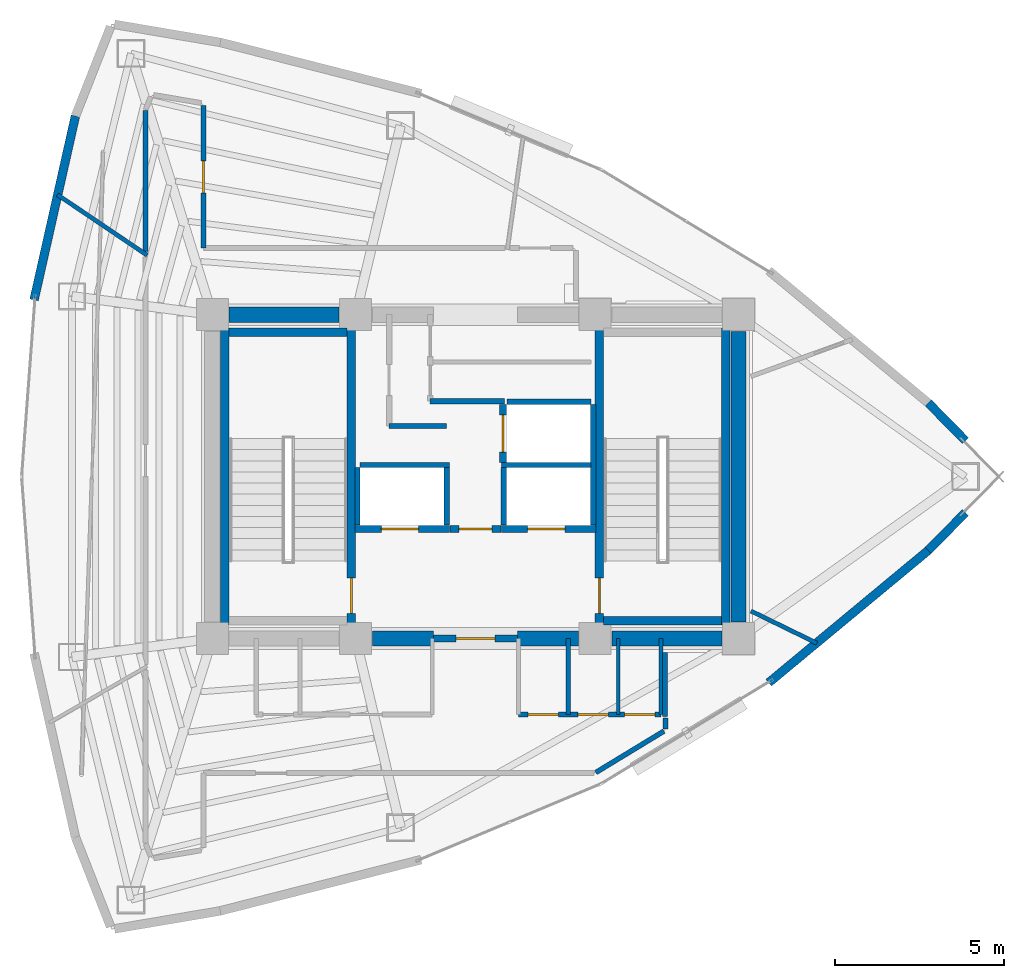
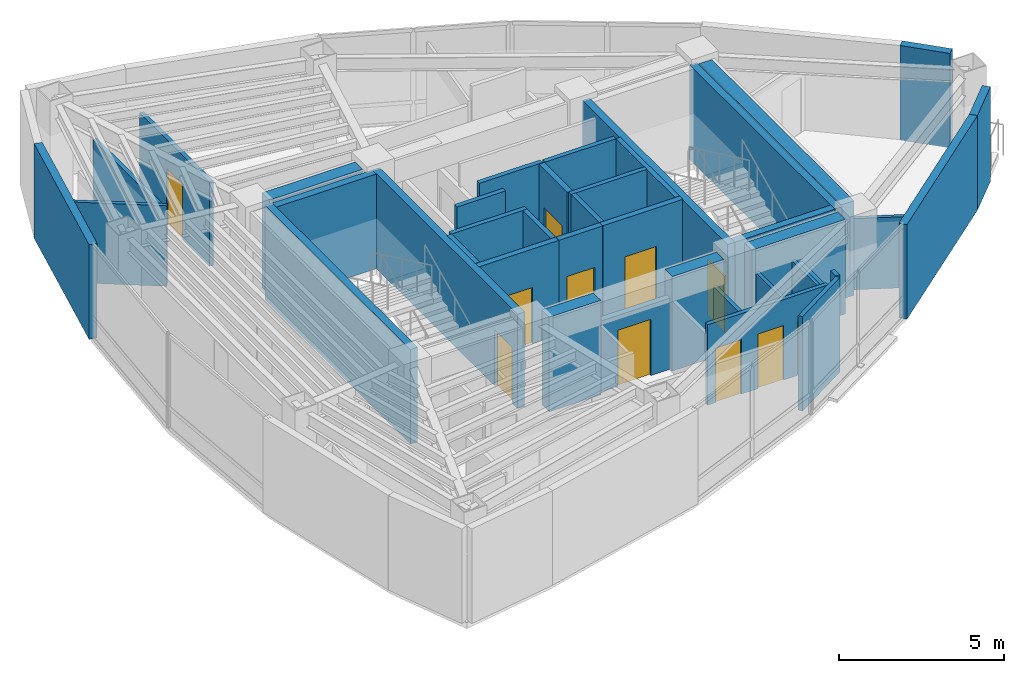
# One storey, part 12 of 16: 40 walls, 11 doors, 11 openings.
"""IFC4 building model written with IfcOpenShell, lengths in metres."""

from ifc_helpers import new_model, si_unit, direction, frame, frame_2d, origin, place, context, subcontext, project, spatial, rectangle, extrude, material, layer, layer_set, type_object, element, fill, save


model = new_model("IFC4")

# Units and contexts
model_context = context("Model", 3, precision=1e-05, world=origin(), true_north=direction((0.0, 1.0)))
body_context = subcontext(model_context, "Body", "Model", "MODEL_VIEW")
ifc_project = project(units=[si_unit("LENGTHUNIT", "METRE"), si_unit("AREAUNIT", "SQUARE_METRE"), si_unit("VOLUMEUNIT", "CUBIC_METRE"), si_unit("PLANEANGLEUNIT", "RADIAN"), si_unit("MASSUNIT", "GRAM", prefix="KILO")], contexts=[model_context])

# Site, building, storey
site_placement = place(None, origin())
site = spatial("IfcSite", under=ifc_project, at=site_placement, CompositionType="ELEMENT")
building_placement = place(site_placement, origin())
building = spatial("IfcBuilding", under=site, at=building_placement, Name="Menara Vayukalpa", CompositionType="ELEMENT")
storey_placement = place(building_placement, frame((0.0, 0.0, 280.6201171875)))
storey = spatial("IfcBuildingStorey", under=building, at=storey_placement, Name="L71", CompositionType="ELEMENT", Elevation=280.6201171875)

# Walls
ifc_material_1 = material(Name="Concrete C50/60", Category="concrete")
ifc_layer_1 = layer(ifc_material_1, 0.449951171875)
ifc_layer_set_1 = layer_set([ifc_layer_1], Name="Concrete C50/60")
wall_type_1 = type_object("IfcWallType", Name="WAL-CW450", PredefinedType="SHEAR", material=ifc_layer_set_1)
wall_1_placement = place(storey_placement, frame((22.544921875, 17.199951171875, 0.0), z_axis=(0.0, 0.0, 1.0), x_axis=(1.0, 0.0, 0.0)))
element("IfcWall", 1, at=wall_1_placement, inside=storey, type_object=wall_type_1, Name="L71 Buttressed Core Shear Wall CWS2", PredefinedType="SHEAR", context=body_context, shape_type="SweptSolid", body=[
    extrude(rectangle(XDim=1.80517578125, YDim=0.449951171875, at=frame_2d((0.902587890625, 0.0))), origin(), (0.0, 0.0, 1.0), 3.5),
])
wall_2_placement = place(storey_placement, frame((26.85009765625, 17.199951171875, 0.0), z_axis=(0.0, 0.0, 1.0), x_axis=(1.0, 0.0, 0.0)))
element("IfcWall", 2, at=wall_2_placement, inside=storey, type_object=wall_type_1, Name="L71 Buttressed Core Shear Wall CWS3", PredefinedType="SHEAR", context=body_context, shape_type="SweptSolid", body=[
    extrude(rectangle(XDim=1.804931640625, YDim=0.449951171875, at=frame_2d((0.90234375, 0.0))), origin(), (0.0, 0.0, 1.0), 3.5),
])
for number, where, z_axis, x_axis, name in (
    (3, (29.64501953125, 17.199951171875, 0.0), (0.0, 0.0, 1.0), (1.0, 0.0, 0.0), "L71 Buttressed Core Shear Wall CWS4"),
    (4, (18.294921875, 26.800048828125, 0.0), (0.0, 0.0, 1.0), (1.0, 0.0, 0.0), "L71 Buttressed Core Shear Wall CWN1"),
):
    element("IfcWall", number, at=place(storey_placement, frame(where, z_axis=z_axis, x_axis=x_axis)), inside=storey, type_object=wall_type_1, Name=name, PredefinedType="SHEAR", context=body_context, shape_type="SweptSolid", body=[
        extrude(rectangle(XDim=3.260009765625, YDim=0.449951171875, at=frame_2d((1.6298828125, 0.0))), origin(), (0.0, 0.0, 1.0), 3.5),
    ])
wall_3_placement = place(storey_placement, frame((33.39990234375, 17.695068359375, 0.0), z_axis=(0.0, 0.0, 1.0), x_axis=(0.0, 1.0, 0.0)))
element("IfcWall", 5, at=wall_3_placement, inside=storey, type_object=wall_type_1, Name="L71 Buttressed Core Shear Wall CWE1", PredefinedType="SHEAR", context=body_context, shape_type="SweptSolid", body=[
    extrude(rectangle(XDim=8.60986328125, YDim=0.449951171875, at=frame_2d((4.304931640625, 0.0))), origin(), (0.0, 0.0, 1.0), 3.5),
])
ifc_material_2 = material(Name="Insulated Precast Concrete C40/50", Category="concrete")
ifc_layer_2 = layer(ifc_material_2, 0.260009765625)
ifc_layer_set_2 = layer_set([ifc_layer_2], Name="Insulated Precast Concrete C40/50")
wall_type_2 = type_object("IfcWallType", Name="WAL-EXT260", PredefinedType="PARTITIONING", material=ifc_layer_set_2)
for number, where, z_axis, x_axis, name in (
    (6, (40.1240234375, 20.932861328125, 0.0), (0.0, 0.0, 1.0), (-0.700470648387, -0.71368121087, 0.0), "L71 Perimeter Terracotta Pier Wall 01"),
    (7, (39.023681640625, 24.188232421875, 0.0), (0.0, 0.0, 1.0), (0.700470648387, -0.71368121087, 0.0), "L71 Perimeter Terracotta Pier Wall 02"),
):
    element("IfcWall", number, at=place(storey_placement, frame(where, z_axis=z_axis, x_axis=x_axis)), inside=storey, type_object=wall_type_2, Name=name, PredefinedType="PARTITIONING", context=body_context, shape_type="SweptSolid", body=[
        extrude(rectangle(XDim=1.57080078125, YDim=0.260009765625, at=frame_2d((0.785400390625, 0.0))), origin(), (0.0, 0.0, 1.0), 3.5),
    ])
wall_4_placement = place(storey_placement, frame((12.514892578125, 27.239501953125, 0.0), z_axis=(0.0, 0.0, 1.0), x_axis=(0.219500763731, 0.97561232809, 0.0)))
element("IfcWall", 8, at=wall_4_placement, inside=storey, type_object=wall_type_2, Name="L71 Perimeter Terracotta Pier Wall 09", PredefinedType="PARTITIONING", context=body_context, shape_type="SweptSolid", body=[
    extrude(rectangle(XDim=5.590087890625, YDim=0.260009765625, at=frame_2d((2.794921875, 0.0))), origin(), (0.0, 0.0, 1.0), 3.5),
])
wall_5_placement = place(storey_placement, frame((39.032470703125, 19.81982421875, 0.0), z_axis=(0.0, 0.0, 1.0), x_axis=(-0.769779830138, -0.638309496337, 0.0)))
element("IfcWall", 9, at=wall_5_placement, inside=storey, type_object=wall_type_2, Name="L71 Perimeter Terracotta Pier Wall 18", PredefinedType="PARTITIONING", context=body_context, shape_type="SweptSolid", body=[
    extrude(rectangle(XDim=6.154052734375, YDim=0.260009765625, at=frame_2d((3.0771484375, 0.0))), origin(), (0.0, 0.0, 1.0), 3.5),
])
ifc_material_3 = material(Name="Lightweight Concrete Blockwork C16/20", Category="masonry")
ifc_layer_3 = layer(ifc_material_3, 0.159912109375)
ifc_layer_set_3 = layer_set([ifc_layer_3], Name="Lightweight Concrete Blockwork C16/20")
wall_type_3 = type_object("IfcWallType", Name="WAL-FR150", PredefinedType="PARTITIONING", material=ifc_layer_set_3)
for number, where, z_axis, x_axis, name in (
    (10, (22.10498046875, 20.56005859375, 0.0), (0.0, 0.0, 1.0), (0.0, 1.0, 0.0), "L71 Interior Partition IW-L71-SHW-WW"),
    (11, (24.7548828125, 20.56005859375, 0.0), (0.0, 0.0, 1.0), (0.0, 1.0, 0.0), "L71 Interior Partition IW-L71-SHW-W1E"),
):
    element("IfcWall", number, at=place(storey_placement, frame(where, z_axis=z_axis, x_axis=x_axis)), inside=storey, type_object=wall_type_3, Name=name, PredefinedType="PARTITIONING", context=body_context, shape_type="SweptSolid", body=[
        extrude(rectangle(XDim=1.7099609375, YDim=0.159912109375, at=frame_2d((0.85498046875, 0.0))), origin(), (0.0, 0.0, 1.0), 3.5),
    ])
wall_6_placement = place(storey_placement, frame((22.179931640625, 22.344970703125, 0.0), z_axis=(0.0, 0.0, 1.0), x_axis=(1.0, 0.0, 0.0)))
element("IfcWall", 12, at=wall_6_placement, inside=storey, type_object=wall_type_3, Name="L71 Interior Partition IW-L71-SHM-W12", PredefinedType="PARTITIONING", context=body_context, shape_type="SweptSolid", body=[
    extrude(rectangle(XDim=2.650146484375, YDim=0.159912109375, at=frame_2d((1.3251953125, 0.0))), origin(), (0.0, 0.0, 1.0), 3.5),
])
wall_7_placement = place(storey_placement, frame((29.094970703125, 20.56005859375, 0.0), z_axis=(0.0, 0.0, 1.0), x_axis=(0.0, 1.0, 0.0)))
element("IfcWall", 13, at=wall_7_placement, inside=storey, type_object=wall_type_3, Name="L71 Interior Partition IW-L71-SHW-EE", PredefinedType="PARTITIONING", context=body_context, shape_type="SweptSolid", body=[
    extrude(rectangle(XDim=3.579833984375, YDim=0.159912109375, at=frame_2d((1.7900390625, 0.0))), origin(), (0.0, 0.0, 1.0), 3.5),
])
wall_8_placement = place(storey_placement, frame((26.445068359375, 20.56005859375, 0.0), z_axis=(0.0, 0.0, 1.0), x_axis=(0.0, 1.0, 0.0)))
element("IfcWall", 14, at=wall_8_placement, inside=storey, type_object=wall_type_3, Name="L71 Interior Partition IW-L71-SHW-E1W", PredefinedType="PARTITIONING", context=body_context, shape_type="SweptSolid", body=[
    extrude(rectangle(XDim=1.7099609375, YDim=0.159912109375, at=frame_2d((0.85498046875, 0.0))), origin(), (0.0, 0.0, 1.0), 3.5),
])
wall_9_placement = place(storey_placement, frame((26.3701171875, 22.344970703125, 0.0), z_axis=(0.0, 0.0, 1.0), x_axis=(1.0, 0.0, 0.0)))
element("IfcWall", 15, at=wall_9_placement, inside=storey, type_object=wall_type_3, Name="L71 Interior Partition IW-L71-SHM-E13", PredefinedType="PARTITIONING", context=body_context, shape_type="SweptSolid", body=[
    extrude(rectangle(XDim=2.64990234375, YDim=0.159912109375, at=frame_2d((1.324951171875, 0.0))), origin(), (0.0, 0.0, 1.0), 3.5),
])
wall_10_placement = place(storey_placement, frame((26.530029296875, 24.215087890625, 0.0), z_axis=(0.0, 0.0, 1.0), x_axis=(1.0, 0.0, 0.0)))
element("IfcWall", 16, at=wall_10_placement, inside=storey, type_object=wall_type_3, Name="L71 Interior Partition IW-L71-SHM-E32", PredefinedType="PARTITIONING", context=body_context, shape_type="SweptSolid", body=[
    extrude(rectangle(XDim=2.489990234375, YDim=0.159912109375, at=frame_2d((1.2451171875, 0.0))), origin(), (0.0, 0.0, 1.0), 3.5),
])
wall_11_placement = place(storey_placement, frame((23.0400390625, 23.5, 0.0), z_axis=(0.0, 0.0, 1.0), x_axis=(1.0, 0.0, 0.0)))
element("IfcWall", 17, at=wall_11_placement, inside=storey, type_object=wall_type_3, Name="L71 Interior Partition IW-L71-LV7WA", PredefinedType="PARTITIONING", context=body_context, shape_type="SweptSolid", body=[
    extrude(rectangle(XDim=1.699951171875, YDim=0.159912109375, at=frame_2d((0.85009765625, 0.0))), origin(), (0.0, 0.0, 1.0), 3.5),
])
wall_12_placement = place(storey_placement, frame((24.260009765625, 24.239990234375, 0.0), z_axis=(0.0, 0.0, 1.0), x_axis=(1.0, 0.0, 0.0)))
element("IfcWall", 18, at=wall_12_placement, inside=storey, type_object=wall_type_3, Name="L71 Interior Partition IW-L71-LV7EA", PredefinedType="PARTITIONING", context=body_context, shape_type="SweptSolid", body=[
    extrude(rectangle(XDim=2.199951171875, YDim=0.159912109375, at=frame_2d((1.10009765625, 0.0))), origin(), (0.0, 0.0, 1.0), 3.5),
])

# Wall, opening, door
ifc_material_4 = material(Name="Lightweight Concrete Blockwork C16/20", Category="masonry")
ifc_layer_4 = layer(ifc_material_4, 0.199951171875)
ifc_layer_set_4 = layer_set([ifc_layer_4], Name="Lightweight Concrete Blockwork C16/20")
wall_type_4 = type_object("IfcWallType", Name="WAL-FR200", PredefinedType="PARTITIONING", material=ifc_layer_set_4)
wall_13_placement = place(storey_placement, frame((24.35009765625, 17.199951171875, 0.0), z_axis=(0.0, 0.0, 1.0), x_axis=(1.0, 0.0, 0.0)))
wall_13 = element("IfcWall", 19, at=wall_13_placement, inside=storey, type_object=wall_type_4, Name="L71 Interior Partition IW-L71-FFLS", PredefinedType="PARTITIONING", context=body_context, shape_type="SweptSolid", body=[
    extrude(rectangle(XDim=2.5, YDim=0.199951171875, at=frame_2d((1.25, 0.0))), origin(), (0.0, 0.0, 1.0), 2.6298828125),
])
opening_1_placement = place(wall_13_placement, frame((0.679931640625, 0.0, 0.0)))
opening_1 = element("IfcOpeningElement", 20, at=opening_1_placement, cuts=wall_13, Name="Opening ID2", PredefinedType="OPENING", context=body_context, shape_type="SweptSolid", body=[
    extrude(rectangle(XDim=1.14990234375, YDim=2.080078125, at=frame_2d((0.574951171875, 1.0400390625))), frame((0.0, 0.10986328125, 0.0), z_axis=(0.0, -1.0, 0.0), x_axis=(1.0, 0.0, 0.0)), (0.0, 0.0, 1.0), 0.219970703125),
])
ifc_material_5 = material(Name="Fire-Rated Powder-Coated Steel Door", Category="steel")
door_type_1 = type_object("IfcDoorType", Name="DR-FD60W", OperationType="NOTDEFINED", PredefinedType="DOOR", material=ifc_material_5)
door_1_placement = place(opening_1_placement, origin())
door_1 = element("IfcDoor", 21, at=door_1_placement, inside=storey, type_object=door_type_1, Name="L71 Interior Door DR-L71-FFLS", OperationType="SINGLE_SWING_RIGHT", OverallHeight=2.080078125, OverallWidth=1.14990234375, PredefinedType="DOOR", context=body_context, shape_type="SweptSolid", body=[
    extrude(rectangle(XDim=1.14990234375, YDim=2.080078125, at=frame_2d((0.574951171875, 1.0400390625))), frame((0.0, 0.02490234375, 0.0), z_axis=(0.0, -1.0, 0.0), x_axis=(1.0, 0.0, 0.0)), (0.0, 0.0, 1.0), 0.050048828125),
])
fill(opening_1, door_1)

wall_14_placement = place(storey_placement, frame((24.840087890625, 20.449951171875, 0.0), z_axis=(0.0, 0.0, 1.0), x_axis=(1.0, 0.0, 0.0)))
wall_14 = element("IfcWall", 22, at=wall_14_placement, inside=storey, type_object=wall_type_4, Name="L71 Interior Partition IW-L71-FFLN", PredefinedType="PARTITIONING", context=body_context, shape_type="SweptSolid", body=[
    extrude(rectangle(XDim=1.52001953125, YDim=0.199951171875, at=frame_2d((0.760009765625, 0.0))), origin(), (0.0, 0.0, 1.0), 3.5),
])
opening_2_placement = place(wall_14_placement, frame((0.27001953125, 0.0, 0.0)))
opening_2 = element("IfcOpeningElement", 23, at=opening_2_placement, cuts=wall_14, Name="Opening ID3", PredefinedType="OPENING", context=body_context, shape_type="SweptSolid", body=[
    extrude(rectangle(XDim=0.97998046875, YDim=2.06005859375, at=frame_2d((0.489990234375, 1.030029296875))), frame((0.0, 0.10986328125, 0.0), z_axis=(0.0, -1.0, 0.0), x_axis=(1.0, 0.0, 0.0)), (0.0, 0.0, 1.0), 0.219970703125),
])
ifc_material_6 = material(Name="Fire-Rated Powder-Coated Steel Door", Category="steel")
door_type_2 = type_object("IfcDoorType", Name="DR-FD60", OperationType="NOTDEFINED", PredefinedType="DOOR", material=ifc_material_6)
door_2_placement = place(opening_2_placement, origin())
door_2 = element("IfcDoor", 24, at=door_2_placement, inside=storey, type_object=door_type_2, Name="L71 Interior Door DR-L71-FFLN", OperationType="SINGLE_SWING_LEFT", OverallHeight=2.06005859375, OverallWidth=0.97998046875, PredefinedType="DOOR", context=body_context, shape_type="SweptSolid", body=[
    extrude(rectangle(XDim=0.97998046875, YDim=2.06005859375, at=frame_2d((0.489990234375, 1.030029296875))), frame((0.0, 0.02490234375, 0.0), z_axis=(0.0, -1.0, 0.0), x_axis=(1.0, 0.0, 0.0)), (0.0, 0.0, 1.0), 0.050048828125),
])
fill(opening_2, door_2)

wall_15_placement = place(storey_placement, frame((22.030029296875, 20.449951171875, 0.0), z_axis=(0.0, 0.0, 1.0), x_axis=(1.0, 0.0, 0.0)))
wall_15 = element("IfcWall", 25, at=wall_15_placement, inside=storey, type_object=wall_type_4, Name="L71 Interior Partition IW-L71-SH-W1", PredefinedType="PARTITIONING", context=body_context, shape_type="SweptSolid", body=[
    extrude(rectangle(XDim=2.800048828125, YDim=0.199951171875, at=frame_2d((1.39990234375, 0.0))), origin(), (0.0, 0.0, 1.0), 3.5),
])
opening_3_placement = place(wall_15_placement, frame((0.780029296875, 0.0, 0.0)))
opening_3 = element("IfcOpeningElement", 26, at=opening_3_placement, cuts=wall_15, Name="Opening LD1", PredefinedType="OPENING", context=body_context, shape_type="SweptSolid", body=[
    extrude(rectangle(XDim=1.10009765625, YDim=2.080078125, at=frame_2d((0.550048828125, 1.0400390625))), frame((0.0, 0.10986328125, 0.0), z_axis=(0.0, -1.0, 0.0), x_axis=(1.0, 0.0, 0.0)), (0.0, 0.0, 1.0), 0.219970703125),
])
ifc_material_7 = material(Name="Brushed Stainless Steel 316 Lift Door", Category="steel")
door_type_3 = type_object("IfcDoorType", Name="DR-LD110", OperationType="NOTDEFINED", PredefinedType="DOOR", material=ifc_material_7)
door_3_placement = place(opening_3_placement, origin())
door_3 = element("IfcDoor", 27, at=door_3_placement, inside=storey, type_object=door_type_3, Name="L71 Interior Door DR-L71-LD-W1", OperationType="DOUBLE_DOOR_SLIDING", OverallHeight=2.080078125, OverallWidth=1.10009765625, PredefinedType="DOOR", context=body_context, shape_type="SweptSolid", body=[
    extrude(rectangle(XDim=1.10009765625, YDim=2.080078125, at=frame_2d((0.550048828125, 1.0400390625))), frame((0.0, 0.02490234375, 0.0), z_axis=(0.0, -1.0, 0.0), x_axis=(1.0, 0.0, 0.0)), (0.0, 0.0, 1.0), 0.050048828125),
])
fill(opening_3, door_3)

wall_16_placement = place(storey_placement, frame((26.3701171875, 20.449951171875, 0.0), z_axis=(0.0, 0.0, 1.0), x_axis=(1.0, 0.0, 0.0)))
wall_16 = element("IfcWall", 28, at=wall_16_placement, inside=storey, type_object=wall_type_4, Name="L71 Interior Partition IW-L71-SH-E1", PredefinedType="PARTITIONING", context=body_context, shape_type="SweptSolid", body=[
    extrude(rectangle(XDim=2.7998046875, YDim=0.199951171875, at=frame_2d((1.39990234375, 0.0))), origin(), (0.0, 0.0, 1.0), 3.5),
])
opening_4_placement = place(wall_16_placement, frame((0.780029296875, 0.0, 0.0)))
opening_4 = element("IfcOpeningElement", 29, at=opening_4_placement, cuts=wall_16, Name="Opening LD1", PredefinedType="OPENING", context=body_context, shape_type="SweptSolid", body=[
    extrude(rectangle(XDim=1.10009765625, YDim=2.080078125, at=frame_2d((0.550048828125, 1.0400390625))), frame((0.0, 0.10986328125, 0.0), z_axis=(0.0, -1.0, 0.0), x_axis=(1.0, 0.0, 0.0)), (0.0, 0.0, 1.0), 0.219970703125),
])
door_4_placement = place(opening_4_placement, origin())
door_4 = element("IfcDoor", 30, at=door_4_placement, inside=storey, type_object=door_type_3, Name="L71 Interior Door DR-L71-LD-E1", OperationType="DOUBLE_DOOR_SLIDING", OverallHeight=2.080078125, OverallWidth=1.10009765625, PredefinedType="DOOR", context=body_context, shape_type="SweptSolid", body=[
    extrude(rectangle(XDim=1.10009765625, YDim=2.080078125, at=frame_2d((0.550048828125, 1.0400390625))), frame((0.0, 0.02490234375, 0.0), z_axis=(0.0, -1.0, 0.0), x_axis=(1.0, 0.0, 0.0)), (0.0, 0.0, 1.0), 0.050048828125),
])
fill(opening_4, door_4)

wall_17_placement = place(storey_placement, frame((26.419921875, 22.419921875, 0.0), z_axis=(0.0, 0.0, 1.0), x_axis=(0.0, 1.0, 0.0)))
wall_17 = element("IfcWall", 31, at=wall_17_placement, inside=storey, type_object=wall_type_4, Name="L71 Interior Partition IW-L71-SH-E3", PredefinedType="PARTITIONING", context=body_context, shape_type="SweptSolid", body=[
    extrude(rectangle(XDim=1.719970703125, YDim=0.199951171875, at=frame_2d((0.85986328125, 0.0))), origin(), (0.0, 0.0, 1.0), 3.5),
])
opening_5_placement = place(wall_17_placement, frame((0.31005859375, 0.0, 0.0)))
opening_5 = element("IfcOpeningElement", 32, at=opening_5_placement, cuts=wall_17, Name="Opening LD1", PredefinedType="OPENING", context=body_context, shape_type="SweptSolid", body=[
    extrude(rectangle(XDim=1.10009765625, YDim=2.080078125, at=frame_2d((0.550048828125, 1.0400390625))), frame((0.0, 0.10986328125, 0.0), z_axis=(0.0, -1.0, 0.0), x_axis=(1.0, 0.0, 0.0)), (0.0, 0.0, 1.0), 0.219970703125),
])
door_5_placement = place(opening_5_placement, origin())
door_5 = element("IfcDoor", 33, at=door_5_placement, inside=storey, type_object=door_type_3, Name="L71 Interior Door DR-L71-LD-E3", OperationType="DOUBLE_DOOR_SLIDING", OverallHeight=2.080078125, OverallWidth=1.10009765625, PredefinedType="DOOR", context=body_context, shape_type="SweptSolid", body=[
    extrude(rectangle(XDim=1.10009765625, YDim=2.080078125, at=frame_2d((0.550048828125, 1.0400390625))), frame((0.0, 0.02490234375, 0.0), z_axis=(0.0, -1.0, 0.0), x_axis=(1.0, 0.0, 0.0)), (0.0, 0.0, 1.0), 0.050048828125),
])
fill(opening_5, door_5)

# Walls
ifc_material_8 = material(Name="Acoustic Mineral Stud Partition", Category="masonry")
ifc_layer_5 = layer(ifc_material_8, 0.110107421875)
ifc_layer_set_5 = layer_set([ifc_layer_5], Name="Acoustic Mineral Stud Partition")
wall_type_5 = type_object("IfcWallType", Name="WAL-PT110", PredefinedType="PARTITIONING", material=ifc_layer_set_5)
wall_18_placement = place(storey_placement, frame((29.830078125, 14.949951171875, 0.0), z_axis=(0.0, 0.0, 1.0), x_axis=(0.0, 1.0, 0.0)))
element("IfcWall", 34, at=wall_18_placement, inside=storey, type_object=wall_type_5, Name="L71 Interior Partition IW-L71-SVCD-06", PredefinedType="PARTITIONING", context=body_context, shape_type="SweptSolid", body=[
    extrude(rectangle(XDim=2.25, YDim=0.110107421875, at=frame_2d((1.125, 0.0))), origin(), (0.0, 0.0, 1.0), 2.6298828125),
])
ifc_material_9 = material(Name="Gypsum Drywall Steel Stud Assembly", Category="steel")
ifc_layer_6 = layer(ifc_material_9, 0.125)
ifc_layer_set_6 = layer_set([ifc_layer_6], Name="Gypsum Drywall Steel Stud Assembly")
wall_type_6 = type_object("IfcWallType", Name="WAL-PT125", PredefinedType="PARTITIONING", material=ifc_layer_set_6)
for number, where, z_axis, x_axis, name in (
    (35, (28.35009765625, 14.949951171875, 0.0), (0.0, 0.0, 1.0), (0.0, 1.0, 0.0), "L71 Interior Partition IW-L71-SVCD-05"),
    (36, (31.10009765625, 14.949951171875, 0.0), (0.0, 0.0, 1.0), (0.0, 1.0, 0.0), "L71 Interior Partition IW-L71-SVCD-07"),
):
    element("IfcWall", number, at=place(storey_placement, frame(where, z_axis=z_axis, x_axis=x_axis)), inside=storey, type_object=wall_type_6, Name=name, PredefinedType="PARTITIONING", context=body_context, shape_type="SweptSolid", body=[
        extrude(rectangle(XDim=2.25, YDim=0.125, at=frame_2d((1.125, 0.0))), origin(), (0.0, 0.0, 1.0), 2.6298828125),
    ])
wall_19_placement = place(storey_placement, frame((15.8701171875, 28.56298828125, 0.0), z_axis=(0.0, 0.0, 1.0), x_axis=(-0.829068851848, 0.559146527214, 0.0)))
element("IfcWall", 37, at=wall_19_placement, inside=storey, type_object=wall_type_6, Name="L71 Interior Partition IW-L71-RDIV03", PredefinedType="PARTITIONING", context=body_context, shape_type="SweptSolid", body=[
    extrude(rectangle(XDim=3.212646484375, YDim=0.125, at=frame_2d((1.6064453125, 0.0))), origin(), (0.0, 0.0, 1.0), 2.97998046875),
])
wall_20_placement = place(storey_placement, frame((33.77001953125, 18.01513671875, 0.0), z_axis=(0.0, 0.0, 1.0), x_axis=(0.898787880347, -0.438383788639, 0.0)))
element("IfcWall", 38, at=wall_20_placement, inside=storey, type_object=wall_type_6, Name="L71 Interior Partition IW-L71-RDIV05", PredefinedType="PARTITIONING", context=body_context, shape_type="SweptSolid", body=[
    extrude(rectangle(XDim=2.173095703125, YDim=0.125, at=frame_2d((1.08642578125, 0.0))), origin(), (0.0, 0.0, 1.0), 2.6298828125),
])

# Wall, openings, doors
ifc_material_10 = material(Name="Gypsum Drywall Acoustic Stud Assembly", Category="masonry")
ifc_layer_7 = layer(ifc_material_10, 0.14501953125)
ifc_layer_set_7 = layer_set([ifc_layer_7], Name="Gypsum Drywall Acoustic Stud Assembly")
wall_type_7 = type_object("IfcWallType", Name="WAL-PT150", PredefinedType="PARTITIONING", material=ifc_layer_set_7)
wall_21_placement = place(storey_placement, frame((26.8798828125, 14.949951171875, 0.0), z_axis=(0.0, 0.0, 1.0), x_axis=(1.0, 0.0, 0.0)))
wall_21 = element("IfcWall", 39, at=wall_21_placement, inside=storey, type_object=wall_type_7, Name="L71 Interior Partition IW-L71-SVCS-E", PredefinedType="PARTITIONING", context=body_context, shape_type="SweptSolid", body=[
    extrude(rectangle(XDim=4.22021484375, YDim=0.14501953125, at=frame_2d((2.110107421875, 0.0))), origin(), (0.0, 0.0, 1.0), 2.97998046875),
])
opening_6_placement = place(wall_21_placement, frame((0.280029296875, 0.0, 0.0)))
opening_6 = element("IfcOpeningElement", 40, at=opening_6_placement, cuts=wall_21, Name="Opening ID7", PredefinedType="OPENING", context=body_context, shape_type="SweptSolid", body=[
    extrude(rectangle(XDim=0.89990234375, YDim=2.02001953125, at=frame_2d((0.449951171875, 1.010009765625))), frame((0.0, 0.08251953125, 0.0), z_axis=(0.0, -1.0, 0.0), x_axis=(1.0, 0.0, 0.0)), (0.0, 0.0, 1.0), 0.1650390625),
])
opening_7_placement = place(wall_21_placement, frame((1.760009765625, 0.0, 0.0)))
opening_7 = element("IfcOpeningElement", 41, at=opening_7_placement, cuts=wall_21, Name="Opening ID7", PredefinedType="OPENING", context=body_context, shape_type="SweptSolid", body=[
    extrude(rectangle(XDim=0.89990234375, YDim=2.02001953125, at=frame_2d((0.449951171875, 1.010009765625))), frame((0.0, 0.08251953125, 0.0), z_axis=(0.0, -1.0, 0.0), x_axis=(1.0, 0.0, 0.0)), (0.0, 0.0, 1.0), 0.1650390625),
])
opening_8_placement = place(wall_21_placement, frame((3.139892578125, 0.0, 0.0)))
opening_8 = element("IfcOpeningElement", 42, at=opening_8_placement, cuts=wall_21, Name="Opening ID7", PredefinedType="OPENING", context=body_context, shape_type="SweptSolid", body=[
    extrude(rectangle(XDim=0.89990234375, YDim=2.02001953125, at=frame_2d((0.449951171875, 1.010009765625))), frame((0.0, 0.08251953125, 0.0), z_axis=(0.0, -1.0, 0.0), x_axis=(1.0, 0.0, 0.0)), (0.0, 0.0, 1.0), 0.1650390625),
])
ifc_material_11 = material(Name="Powder-Coated Steel Riser Access Door", Category="steel")
door_type_4 = type_object("IfcDoorType", Name="DR-RISER", OperationType="NOTDEFINED", PredefinedType="DOOR", material=ifc_material_11)
door_6_placement = place(opening_6_placement, origin())
door_6 = element("IfcDoor", 43, at=door_6_placement, inside=storey, type_object=door_type_4, Name="L71 Interior Door DR-L71-KSV1", OperationType="SINGLE_SWING_LEFT", OverallHeight=2.02001953125, OverallWidth=0.89990234375, PredefinedType="DOOR", context=body_context, shape_type="SweptSolid", body=[
    extrude(rectangle(XDim=0.89990234375, YDim=2.02001953125, at=frame_2d((0.449951171875, 1.010009765625))), frame((0.0, 0.02490234375, 0.0), z_axis=(0.0, -1.0, 0.0), x_axis=(1.0, 0.0, 0.0)), (0.0, 0.0, 1.0), 0.050048828125),
])
fill(opening_6, door_6)
door_7_placement = place(opening_7_placement, origin())
door_7 = element("IfcDoor", 44, at=door_7_placement, inside=storey, type_object=door_type_4, Name="L71 Interior Door DR-L71-KSV2", OperationType="SINGLE_SWING_RIGHT", OverallHeight=2.02001953125, OverallWidth=0.89990234375, PredefinedType="DOOR", context=body_context, shape_type="SweptSolid", body=[
    extrude(rectangle(XDim=0.89990234375, YDim=2.02001953125, at=frame_2d((0.449951171875, 1.010009765625))), frame((0.0, 0.02490234375, 0.0), z_axis=(0.0, -1.0, 0.0), x_axis=(1.0, 0.0, 0.0)), (0.0, 0.0, 1.0), 0.050048828125),
])
fill(opening_7, door_7)
door_8_placement = place(opening_8_placement, origin())
door_8 = element("IfcDoor", 45, at=door_8_placement, inside=storey, type_object=door_type_4, Name="L71 Interior Door DR-L71-SMD", OperationType="SINGLE_SWING_LEFT", OverallHeight=2.02001953125, OverallWidth=0.89990234375, PredefinedType="DOOR", context=body_context, shape_type="SweptSolid", body=[
    extrude(rectangle(XDim=0.89990234375, YDim=2.02001953125, at=frame_2d((0.449951171875, 1.010009765625))), frame((0.0, 0.02490234375, 0.0), z_axis=(0.0, -1.0, 0.0), x_axis=(1.0, 0.0, 0.0)), (0.0, 0.0, 1.0), 0.050048828125),
])
fill(opening_8, door_8)

# Walls
wall_22_placement = place(storey_placement, frame((29.167724609375, 13.228515625, 0.0), z_axis=(0.0, 0.0, 1.0), x_axis=(0.854678044033, 0.519158396876, 0.0)))
element("IfcWall", 46, at=wall_22_placement, inside=storey, type_object=wall_type_7, Name="L71 Interior Partition IW-L71-CRM02-6", PredefinedType="PARTITIONING", context=body_context, shape_type="SweptSolid", body=[
    extrude(rectangle(XDim=2.36767578125, YDim=0.14501953125, at=frame_2d((1.183837890625, 0.0))), origin(), (0.0, 0.0, 1.0), 3.5),
])
wall_23_placement = place(storey_placement, frame((31.22998046875, 14.526123046875, 0.0), z_axis=(0.0, 0.0, 1.0), x_axis=(0.0, 1.0, 0.0)))
element("IfcWall", 47, at=wall_23_placement, inside=storey, type_object=wall_type_7, Name="L71 Interior Partition IW-L71-CRM02-7", PredefinedType="PARTITIONING", context=body_context, shape_type="SweptSolid", body=[
    extrude(rectangle(XDim=0.323974609375, YDim=0.14501953125, at=frame_2d((0.162109375, 0.0))), origin(), (0.0, 0.0, 1.0), 3.5),
])
wall_24_placement = place(storey_placement, frame((31.219970703125, 14.888671875, 0.0), z_axis=(0.0, 0.0, 1.0), x_axis=(0.0, 1.0, 0.0)))
element("IfcWall", 48, at=wall_24_placement, inside=storey, type_object=wall_type_7, Name="L71 Interior Partition IW-L71-CRM02-8", PredefinedType="PARTITIONING", context=body_context, shape_type="SweptSolid", body=[
    extrude(rectangle(XDim=1.891357421875, YDim=0.14501953125, at=frame_2d((0.94580078125, 0.0))), origin(), (0.0, 0.0, 1.0), 2.6298828125),
])

# Wall, opening, door
wall_25_placement = place(storey_placement, frame((17.5400390625, 28.780029296875, 0.0), z_axis=(0.0, 0.0, 1.0), x_axis=(0.0, 1.0, 0.0)))
wall_25 = element("IfcWall", 49, at=wall_25_placement, inside=storey, type_object=wall_type_7, Name="L71 Interior Partition IW-L71-CRM05-2", PredefinedType="PARTITIONING", context=body_context, shape_type="SweptSolid", body=[
    extrude(rectangle(XDim=4.216064453125, YDim=0.14501953125, at=frame_2d((2.10791015625, 0.0))), origin(), (0.0, 0.0, 1.0), 3.1298828125),
])
opening_9_placement = place(wall_25_placement, frame((1.633056640625, 0.0, 0.0)))
opening_9 = element("IfcOpeningElement", 50, at=opening_9_placement, cuts=wall_25, Name="Opening ID5", PredefinedType="OPENING", context=body_context, shape_type="SweptSolid", body=[
    extrude(rectangle(XDim=0.949951171875, YDim=2.06005859375, at=frame_2d((0.47509765625, 1.030029296875))), frame((0.0, 0.08251953125, 0.0), z_axis=(0.0, -1.0, 0.0), x_axis=(1.0, 0.0, 0.0)), (0.0, 0.0, 1.0), 0.1650390625),
])
ifc_material_12 = material(Name="Acoustic Hardwood Veneer Timber Door", Category="wood")
door_type_5 = type_object("IfcDoorType", Name="DR-INT95", OperationType="NOTDEFINED", PredefinedType="DOOR", material=ifc_material_12)
door_9_placement = place(opening_9_placement, origin())
door_9 = element("IfcDoor", 51, at=door_9_placement, inside=storey, type_object=door_type_5, Name="L71 Interior Door DR-L71-RM05", OperationType="SINGLE_SWING_RIGHT", OverallHeight=2.06005859375, OverallWidth=0.949951171875, PredefinedType="DOOR", context=body_context, shape_type="SweptSolid", body=[
    extrude(rectangle(XDim=0.949951171875, YDim=2.06005859375, at=frame_2d((0.47509765625, 1.030029296875))), frame((0.0, 0.02490234375, 0.0), z_axis=(0.0, -1.0, 0.0), x_axis=(1.0, 0.0, 0.0)), (0.0, 0.0, 1.0), 0.050048828125),
])
fill(opening_9, door_9)

# Walls
wall_26_placement = place(storey_placement, frame((15.820068359375, 32.853759765625, 0.0), z_axis=(0.0, 0.0, 1.0), x_axis=(0.0, -1.0, 0.0)))
element("IfcWall", 52, at=wall_26_placement, inside=storey, type_object=wall_type_7, Name="L71 Interior Partition IW-L71-CRM05-5", PredefinedType="PARTITIONING", context=body_context, shape_type="SweptSolid", body=[
    extrude(rectangle(XDim=4.172607421875, YDim=0.14501953125, at=frame_2d((2.08642578125, 0.0))), origin(), (0.0, 0.0, 1.0), 2.829833984375),
])
ifc_material_13 = material(Name="Concrete C50/60", Category="concrete")
ifc_layer_8 = layer(ifc_material_13, 0.25)
ifc_layer_set_8 = layer_set([ifc_layer_8], Name="Concrete C50/60")
wall_type_8 = type_object("IfcWallType", Name="WAL-SW250", PredefinedType="SHEAR", material=ifc_layer_set_8)
wall_27_placement = place(storey_placement, frame((18.175048828125, 17.60009765625, 0.0), z_axis=(0.0, 0.0, 1.0), x_axis=(0.0, 1.0, 0.0)))
element("IfcWall", 53, at=wall_27_placement, inside=storey, type_object=wall_type_8, Name="L71 ST1 Structural Stair Shaft Wall W", PredefinedType="SHEAR", context=body_context, shape_type="SweptSolid", body=[
    extrude(rectangle(XDim=8.7998046875, YDim=0.25, at=frame_2d((4.39990234375, 0.0))), origin(), (0.0, 0.0, 1.0), 3.5),
])

# Wall, opening, door
wall_28_placement = place(storey_placement, frame((21.925048828125, 17.60009765625, 0.0), z_axis=(0.0, 0.0, 1.0), x_axis=(0.0, 1.0, 0.0)))
wall_28 = element("IfcWall", 54, at=wall_28_placement, inside=storey, type_object=wall_type_8, Name="L71 ST1 Structural Stair Shaft Wall E", PredefinedType="SHEAR", context=body_context, shape_type="SweptSolid", body=[
    extrude(rectangle(XDim=8.7998046875, YDim=0.25, at=frame_2d((4.39990234375, 0.0))), origin(), (0.0, 0.0, 1.0), 3.5),
])
opening_10_placement = place(wall_28_placement, frame((0.35009765625, 0.0, 0.0)))
opening_10 = element("IfcOpeningElement", 55, at=opening_10_placement, cuts=wall_28, Name="Opening ID1", PredefinedType="OPENING", context=body_context, shape_type="SweptSolid", body=[
    extrude(rectangle(XDim=1.050048828125, YDim=2.080078125, at=frame_2d((0.52490234375, 1.0400390625))), frame((0.0, 0.135009765625, 0.0), z_axis=(0.0, -1.0, 0.0), x_axis=(1.0, 0.0, 0.0)), (0.0, 0.0, 1.0), 0.27001953125),
])
ifc_material_14 = material(Name="Fire-Rated Powder-Coated Steel Door", Category="steel")
door_type_6 = type_object("IfcDoorType", Name="DR-FD120", OperationType="NOTDEFINED", PredefinedType="DOOR", material=ifc_material_14)
door_10_placement = place(opening_10_placement, origin())
door_10 = element("IfcDoor", 56, at=door_10_placement, inside=storey, type_object=door_type_6, Name="L71 Stair Exit Door DR-L71-ST1", OperationType="SINGLE_SWING_LEFT", OverallHeight=2.080078125, OverallWidth=1.050048828125, PredefinedType="DOOR", context=body_context, shape_type="SweptSolid", body=[
    extrude(rectangle(XDim=1.050048828125, YDim=2.080078125, at=frame_2d((0.52490234375, 1.0400390625))), frame((0.0, 0.02490234375, 0.0), z_axis=(0.0, -1.0, 0.0), x_axis=(1.0, 0.0, 0.0)), (0.0, 0.0, 1.0), 0.050048828125),
])
fill(opening_10, door_10)

# Wall
wall_29_placement = place(storey_placement, frame((18.300048828125, 26.27490234375, 0.0), z_axis=(0.0, 0.0, 1.0), x_axis=(1.0, 0.0, 0.0)))
element("IfcWall", 57, at=wall_29_placement, inside=storey, type_object=wall_type_8, Name="L71 ST1 Structural Stair Shaft Wall N", PredefinedType="SHEAR", context=body_context, shape_type="SweptSolid", body=[
    extrude(rectangle(XDim=3.5, YDim=0.25, at=frame_2d((1.75, 0.0))), origin(), (0.0, 0.0, 1.0), 3.5),
])

# Wall, opening, door
wall_30_placement = place(storey_placement, frame((29.27490234375, 17.60009765625, 0.0), z_axis=(0.0, 0.0, 1.0), x_axis=(0.0, 1.0, 0.0)))
wall_30 = element("IfcWall", 58, at=wall_30_placement, inside=storey, type_object=wall_type_8, Name="L71 ST2 Structural Stair Shaft Wall W", PredefinedType="SHEAR", context=body_context, shape_type="SweptSolid", body=[
    extrude(rectangle(XDim=8.7998046875, YDim=0.25, at=frame_2d((4.39990234375, 0.0))), origin(), (0.0, 0.0, 1.0), 3.5),
])
opening_11_placement = place(wall_30_placement, frame((0.35009765625, 0.0, 0.0)))
opening_11 = element("IfcOpeningElement", 59, at=opening_11_placement, cuts=wall_30, Name="Opening ID1", PredefinedType="OPENING", context=body_context, shape_type="SweptSolid", body=[
    extrude(rectangle(XDim=1.050048828125, YDim=2.080078125, at=frame_2d((0.52490234375, 1.0400390625))), frame((0.0, 0.135009765625, 0.0), z_axis=(0.0, -1.0, 0.0), x_axis=(1.0, 0.0, 0.0)), (0.0, 0.0, 1.0), 0.27001953125),
])
door_11_placement = place(opening_11_placement, origin())
door_11 = element("IfcDoor", 60, at=door_11_placement, inside=storey, type_object=door_type_6, Name="L71 Stair Exit Door DR-L71-ST2", OperationType="SINGLE_SWING_RIGHT", OverallHeight=2.080078125, OverallWidth=1.050048828125, PredefinedType="DOOR", context=body_context, shape_type="SweptSolid", body=[
    extrude(rectangle(XDim=1.050048828125, YDim=2.080078125, at=frame_2d((0.52490234375, 1.0400390625))), frame((0.0, 0.02490234375, 0.0), z_axis=(0.0, -1.0, 0.0), x_axis=(1.0, 0.0, 0.0)), (0.0, 0.0, 1.0), 0.050048828125),
])
fill(opening_11, door_11)

# Walls
wall_31_placement = place(storey_placement, frame((33.02490234375, 17.60009765625, 0.0), z_axis=(0.0, 0.0, 1.0), x_axis=(0.0, 1.0, 0.0)))
element("IfcWall", 61, at=wall_31_placement, inside=storey, type_object=wall_type_8, Name="L71 ST2 Structural Stair Shaft Wall E", PredefinedType="SHEAR", context=body_context, shape_type="SweptSolid", body=[
    extrude(rectangle(XDim=8.7998046875, YDim=0.25, at=frame_2d((4.39990234375, 0.0))), origin(), (0.0, 0.0, 1.0), 3.5),
])
wall_32_placement = place(storey_placement, frame((29.39990234375, 17.72509765625, 0.0), z_axis=(0.0, 0.0, 1.0), x_axis=(1.0, 0.0, 0.0)))
element("IfcWall", 62, at=wall_32_placement, inside=storey, type_object=wall_type_8, Name="L71 ST2 Structural Stair Shaft Wall S", PredefinedType="SHEAR", context=body_context, shape_type="SweptSolid", body=[
    extrude(rectangle(XDim=3.5, YDim=0.25, at=frame_2d((1.75, 0.0))), origin(), (0.0, 0.0, 1.0), 3.5),
])

save(model, "model.ifc")
